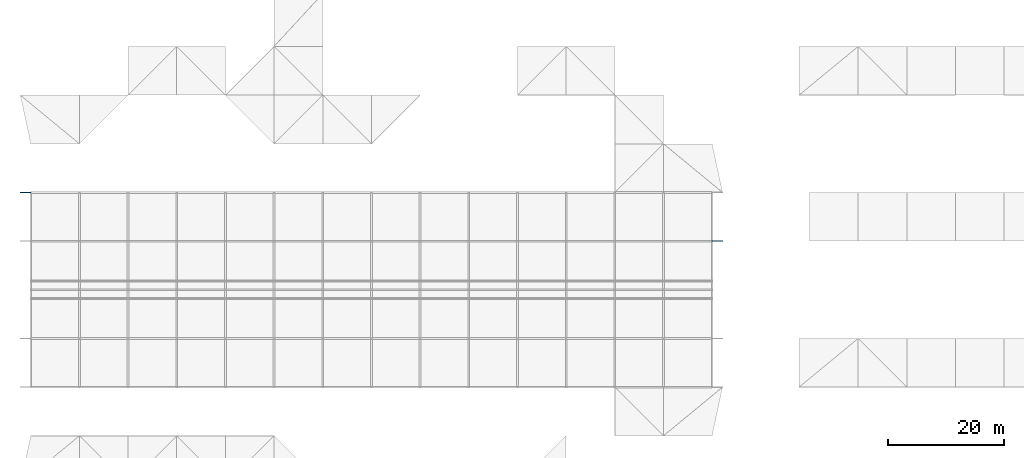
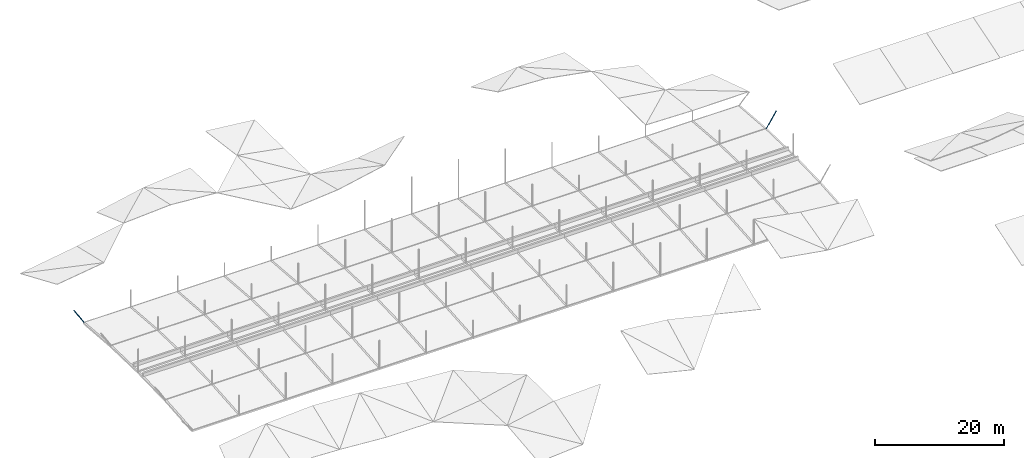
# One storey, part 28 of 37: 2 discrete accessories.
"""IFC4 building model written with IfcOpenShell, lengths in metres."""

from ifc_helpers import new_model, si_unit, direction, frame, origin, origin_2d, place, context, subcontext, project, spatial, hollow_circle, extrude, material, material_profile, profile_set, type_object, element, save


model = new_model("IFC4")

# Units and contexts
model_context = context("Model", 3, precision=1e-05, world=origin(), true_north=direction((0.0, 1.0)))
body_context = subcontext(model_context, "Body", "Model", "MODEL_VIEW")
ifc_project = project(units=[si_unit("LENGTHUNIT", "METRE"), si_unit("AREAUNIT", "SQUARE_METRE"), si_unit("VOLUMEUNIT", "CUBIC_METRE"), si_unit("PLANEANGLEUNIT", "RADIAN"), si_unit("MASSUNIT", "GRAM", prefix="KILO")], contexts=[model_context])

# Site, building, storey
site_placement = place(None, origin())
site = spatial("IfcSite", under=ifc_project, at=site_placement, CompositionType="ELEMENT")
building_placement = place(site_placement, origin())
building = spatial("IfcBuilding", under=site, at=building_placement, Name="Rain Tree Exposition and Congress Centre", CompositionType="ELEMENT")
storey_placement = place(building_placement, frame((0.0, 0.0, 25.0)))
storey = spatial("IfcBuildingStorey", under=building, at=storey_placement, Name="ROOF VAULT LOW", CompositionType="ELEMENT", Elevation=25.0)

# Discrete accessories
ifc_material = material(Name="Steel S355J2H", Category="steel")
ifc_material_profile = material_profile(ifc_material, hollow_circle(Radius=0.05712890625, WallThickness=0.00439453125, at=origin_2d()), Name="CHS 114x4.5")
ifc_profile_set = profile_set([ifc_material_profile], Name="Steel S355J2H")
discrete_accessory_type = type_object("IfcDiscreteAccessoryType", Name="Roof skin post CHS 114x4.5", PredefinedType="BRACKET", material=ifc_profile_set)
discrete_accessory_1_placement = place(storey_placement, frame((126.0, 159.60009765625, 1.1728515625), z_axis=(0.551881445564, 0.0, 0.833922580365), x_axis=(0.0, 1.0, 0.0)))
element("IfcDiscreteAccessory", 1, at=discrete_accessory_1_placement, inside=storey, type_object=discrete_accessory_type, Name="Roof skin post A120", PredefinedType="BRACKET", context=body_context, shape_type="SweptSolid", body=[
    extrude(hollow_circle(Radius=0.05712890625, WallThickness=0.00439453125, at=origin_2d()), origin(), (0.0, 0.0, 1.0), 3.26171875),
])
discrete_accessory_2_placement = place(storey_placement, frame((8.39990234375, 168.0, 0.4892578125), z_axis=(-0.5264701613, 0.0, 0.850193606928), x_axis=(0.0, -1.0, 0.0)))
element("IfcDiscreteAccessory", 2, at=discrete_accessory_2_placement, inside=storey, type_object=discrete_accessory_type, Name="Roof skin post A121", PredefinedType="BRACKET", context=body_context, shape_type="SweptSolid", body=[
    extrude(hollow_circle(Radius=0.05712890625, WallThickness=0.00439453125, at=origin_2d()), origin(), (0.0, 0.0, 1.0), 3.418701171875),
])

save(model, "model.ifc")
